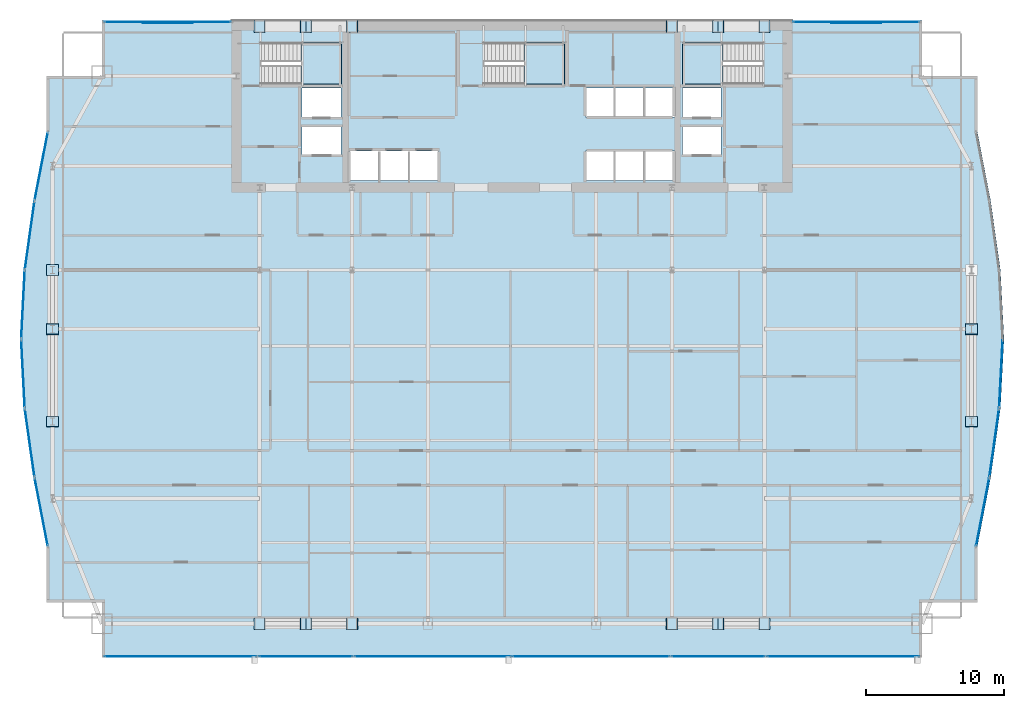
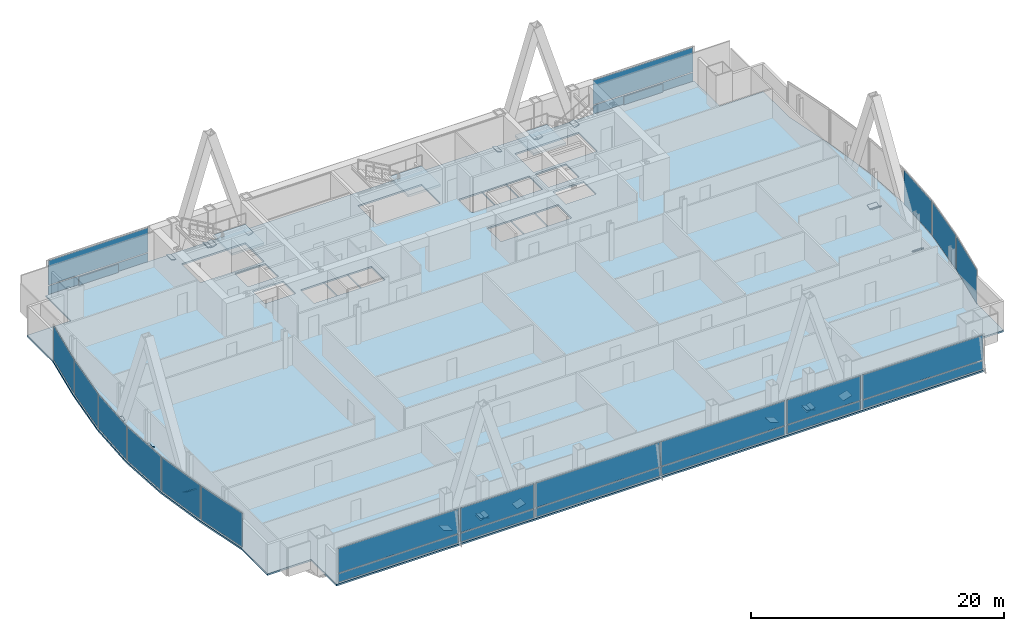
# One storey, part 25 of 33: 50 plates, 4 slabs, 19 elements without a shape of their own.
"""IFC4 building model written with IfcOpenShell, lengths in metres."""

from ifc_helpers import new_model, si_unit, direction, frame, origin, origin_2d, place, context, subcontext, project, spatial, polyline, rectangle, outline, extrude, material, layer, layer_set, type_object, element, aggregate, save


model = new_model("IFC4")

# Units and contexts
model_context = context("Model", 3, precision=1e-05, world=origin(), true_north=direction((0.0, 1.0)))
body_context = subcontext(model_context, "Body", "Model", "MODEL_VIEW")
ifc_project = project(units=[si_unit("LENGTHUNIT", "METRE"), si_unit("AREAUNIT", "SQUARE_METRE"), si_unit("VOLUMEUNIT", "CUBIC_METRE"), si_unit("PLANEANGLEUNIT", "RADIAN"), si_unit("MASSUNIT", "GRAM", prefix="KILO")], contexts=[model_context])

# Site, building, storey
site_placement = place(None, origin())
site = spatial("IfcSite", under=ifc_project, at=site_placement, CompositionType="ELEMENT")
building_placement = place(site_placement, origin())
building = spatial("IfcBuilding", under=site, at=building_placement, Name="Khoronbel Lancet Exchange", CompositionType="ELEMENT")
storey_placement = place(building_placement, frame((0.0, 0.0, 118.199951171875)))
storey = spatial("IfcBuildingStorey", under=building, at=storey_placement, Name="L28", CompositionType="ELEMENT", Elevation=118.199951171875)

# Curtain wall, plate
ifc_material_1 = material(Name="Low-E Solar Control Insulating Glass", Category="glass")
curtain_wall_type_1 = type_object("IfcCurtainWallType", Name="CW-4", PredefinedType="NOTDEFINED", material=ifc_material_1)
curtain_wall_1_placement = place(storey_placement, origin())
curtain_wall_1 = element("IfcCurtainWall", 1, at=curtain_wall_1_placement, inside=storey, type_object=curtain_wall_type_1, Name="Unitised curtain wall CW-L28-E05", PredefinedType="NOTDEFINED")
ifc_material_2 = material(Name="Bronze-Anodised Aluminium 6063-T6", Category="aluminium")
ifc_layer_1 = layer(ifc_material_2, 0.050048828125, Name="Bronze-Anodised Aluminium 6063-T6")
ifc_layer_set_1 = layer_set([ifc_layer_1], Name="Bronze-Anodised Aluminium 6063-T6")
plate_type_1 = type_object("IfcPlateType", Name="PLT-CSP1", PredefinedType="SHEET", material=ifc_layer_set_1)
plate_1_placement = place(storey_placement, frame((1.620849609375, 23.211669921875, 0.0849609375), z_axis=(0.0, 0.0, 1.0), x_axis=(-0.139924986756, 0.990162106971, 0.0)))
plate_1 = element("IfcPlate", 2, at=plate_1_placement, type_object=plate_type_1, Name="CW4 panel 1.1", PredefinedType="CURTAIN_PANEL", context=body_context, shape_type="SweptSolid", body=[
    extrude(rectangle(XDim=4.893310546875, YDim=0.0380859375, at=origin_2d()), origin(), (0.0, 0.0, 1.0), 3.27001953125),
])
aggregate(curtain_wall_1, [plate_1])

curtain_wall_2_placement = place(storey_placement, origin())
curtain_wall_2 = element("IfcCurtainWall", 3, at=curtain_wall_2_placement, inside=storey, type_object=curtain_wall_type_1, Name="Unitised curtain wall CW-L28-E06", PredefinedType="NOTDEFINED")
plate_2_placement = place(storey_placement, frame((1.138916015625, 28.204345703125, 0.0849609375), z_axis=(0.0, 0.0, 1.0), x_axis=(-0.051659901994, 0.998664735798, 0.0)))
plate_2 = element("IfcPlate", 4, at=plate_2_placement, type_object=plate_type_1, Name="CW4 panel 1.1", PredefinedType="CURTAIN_PANEL", context=body_context, shape_type="SweptSolid", body=[
    extrude(rectangle(XDim=4.84814453125, YDim=0.0380859375, at=origin_2d()), origin(), (0.0, 0.0, 1.0), 3.27001953125),
])
aggregate(curtain_wall_2, [plate_2])

curtain_wall_3_placement = place(storey_placement, origin())
curtain_wall_3 = element("IfcCurtainWall", 5, at=curtain_wall_3_placement, inside=storey, type_object=curtain_wall_type_1, Name="Unitised curtain wall CW-L28-E07", PredefinedType="NOTDEFINED")
plate_3_placement = place(storey_placement, frame((1.138916015625, 33.19580078125, 0.0849609375), z_axis=(0.0, 0.0, 1.0), x_axis=(0.051659901994, 0.998664735798, 0.0)))
plate_3 = element("IfcPlate", 6, at=plate_3_placement, type_object=plate_type_1, Name="CW4 panel 1.1", PredefinedType="CURTAIN_PANEL", context=body_context, shape_type="SweptSolid", body=[
    extrude(rectangle(XDim=4.84814453125, YDim=0.0380859375, at=origin_2d()), origin(), (0.0, 0.0, 1.0), 3.27001953125),
])
aggregate(curtain_wall_3, [plate_3])

curtain_wall_4_placement = place(storey_placement, origin())
curtain_wall_4 = element("IfcCurtainWall", 7, at=curtain_wall_4_placement, inside=storey, type_object=curtain_wall_type_1, Name="Unitised curtain wall CW-L28-E08", PredefinedType="NOTDEFINED")
plate_4_placement = place(storey_placement, frame((1.620849609375, 38.188232421875, 0.0849609375), z_axis=(0.0, 0.0, 1.0), x_axis=(0.139924986756, 0.990162106971, 0.0)))
plate_4 = element("IfcPlate", 8, at=plate_4_placement, type_object=plate_type_1, Name="CW4 panel 1.1", PredefinedType="CURTAIN_PANEL", context=body_context, shape_type="SweptSolid", body=[
    extrude(rectangle(XDim=4.893310546875, YDim=0.0380859375, at=origin_2d()), origin(), (0.0, 0.0, 1.0), 3.27001953125),
])
aggregate(curtain_wall_4, [plate_4])

curtain_wall_type_2 = type_object("IfcCurtainWallType", Name="CW-2", PredefinedType="NOTDEFINED", material=ifc_material_1)
curtain_wall_5_placement = place(storey_placement, origin())
curtain_wall_5 = element("IfcCurtainWall", 9, at=curtain_wall_5_placement, inside=storey, type_object=curtain_wall_type_2, Name="Unitised curtain wall CW-L28-NWFLK", PredefinedType="NOTDEFINED")
plate_5_placement = place(storey_placement, frame((11.580078125, 53.550048828125, 0.0498046875), z_axis=(0.0, 0.0, 1.0), x_axis=(-1.0, 0.0, 0.0)))
plate_5 = element("IfcPlate", 10, at=plate_5_placement, type_object=plate_type_1, Name="Insulated bronze spandrel cassette CW-L28-NWFLK", PredefinedType="SHEET", context=body_context, shape_type="SweptSolid", body=[
    extrude(rectangle(XDim=3.60009765625, YDim=0.050048828125, at=origin_2d()), origin(), (0.0, 0.0, 1.0), 0.800048828125),
])

curtain_wall_6_placement = place(storey_placement, origin())
curtain_wall_6 = element("IfcCurtainWall", 11, at=curtain_wall_6_placement, inside=storey, type_object=curtain_wall_type_2, Name="Unitised curtain wall CW-L28-NEFLK", PredefinedType="NOTDEFINED")
plate_6_placement = place(storey_placement, frame((61.320068359375, 53.550048828125, 0.0498046875), z_axis=(0.0, 0.0, 1.0), x_axis=(-1.0, 0.0, 0.0)))
plate_6 = element("IfcPlate", 12, at=plate_6_placement, type_object=plate_type_1, Name="Insulated bronze spandrel cassette CW-L28-NEFLK", PredefinedType="SHEET", context=body_context, shape_type="SweptSolid", body=[
    extrude(rectangle(XDim=3.60009765625, YDim=0.050048828125, at=origin_2d()), origin(), (0.0, 0.0, 1.0), 0.800048828125),
])

curtain_wall_7_placement = place(storey_placement, origin())
curtain_wall_7 = element("IfcCurtainWall", 13, at=curtain_wall_7_placement, inside=storey, type_object=curtain_wall_type_1, Name="Unitised curtain wall CW-L28-E20", PredefinedType="NOTDEFINED")
plate_7_placement = place(storey_placement, frame((71.76123046875, 28.204345703125, 0.0849609375), z_axis=(0.0, 0.0, 1.0), x_axis=(-0.051659901994, -0.998664735798, 0.0)))
plate_7 = element("IfcPlate", 14, at=plate_7_placement, type_object=plate_type_1, Name="CW4 panel 1.1", PredefinedType="CURTAIN_PANEL", context=body_context, shape_type="SweptSolid", body=[
    extrude(rectangle(XDim=4.84814453125, YDim=0.0380859375, at=origin_2d()), origin(), (0.0, 0.0, 1.0), 3.27001953125),
])
aggregate(curtain_wall_7, [plate_7])

curtain_wall_8_placement = place(storey_placement, origin())
curtain_wall_8 = element("IfcCurtainWall", 15, at=curtain_wall_8_placement, inside=storey, type_object=curtain_wall_type_1, Name="Unitised curtain wall CW-L28-E21", PredefinedType="NOTDEFINED")
plate_8_placement = place(storey_placement, frame((71.279296875, 23.211669921875, 0.0849609375), z_axis=(0.0, 0.0, 1.0), x_axis=(-0.139924986756, -0.990162106971, 0.0)))
plate_8 = element("IfcPlate", 16, at=plate_8_placement, type_object=plate_type_1, Name="CW4 panel 1.1", PredefinedType="CURTAIN_PANEL", context=body_context, shape_type="SweptSolid", body=[
    extrude(rectangle(XDim=4.893310546875, YDim=0.0380859375, at=origin_2d()), origin(), (0.0, 0.0, 1.0), 3.27001953125),
])
aggregate(curtain_wall_8, [plate_8])

# Curtain wall, plates
curtain_wall_9_placement = place(storey_placement, origin())
curtain_wall_9 = element("IfcCurtainWall", 17, at=curtain_wall_9_placement, inside=storey, type_object=curtain_wall_type_2, Name="Unitised curtain wall CW-L28-SWB", PredefinedType="NOTDEFINED")
plate_9_placement = place(storey_placement, frame((21.550048828125, 7.7900390625, 0.0849609375), z_axis=(0.0, 0.0, 1.0), x_axis=(1.0, 0.0, 0.0)))
plate_9 = element("IfcPlate", 18, at=plate_9_placement, type_object=plate_type_1, Name="CW2 panel 1.1", PredefinedType="CURTAIN_PANEL", context=body_context, shape_type="SweptSolid", body=[
    extrude(rectangle(XDim=6.72998046875, YDim=0.0380859375, at=origin_2d()), origin(), (0.0, 0.0, 1.0), 0.822509765625),
])
plate_10_placement = place(storey_placement, frame((21.550048828125, 7.7900390625, 0.99267578125), z_axis=(0.0, 0.0, 1.0), x_axis=(1.0, 0.0, 0.0)))
plate_10 = element("IfcPlate", 19, at=plate_10_placement, type_object=plate_type_1, Name="CW2 panel 1.2", PredefinedType="CURTAIN_PANEL", context=body_context, shape_type="SweptSolid", body=[
    extrude(rectangle(XDim=6.72998046875, YDim=0.0380859375, at=origin_2d()), origin(), (0.0, 0.0, 1.0), 2.362548828125),
])
aggregate(curtain_wall_9, [plate_9, plate_10])

curtain_wall_10_placement = place(storey_placement, origin())
curtain_wall_10 = element("IfcCurtainWall", 20, at=curtain_wall_10_placement, inside=storey, type_object=curtain_wall_type_2, Name="Unitised curtain wall CW-L28-SEB", PredefinedType="NOTDEFINED")
plate_11_placement = place(storey_placement, frame((51.35009765625, 7.7900390625, 0.0849609375), z_axis=(0.0, 0.0, 1.0), x_axis=(1.0, 0.0, 0.0)))
plate_11 = element("IfcPlate", 21, at=plate_11_placement, type_object=plate_type_1, Name="CW2 panel 1.1", PredefinedType="CURTAIN_PANEL", context=body_context, shape_type="SweptSolid", body=[
    extrude(rectangle(XDim=6.72998046875, YDim=0.0380859375, at=origin_2d()), origin(), (0.0, 0.0, 1.0), 0.822509765625),
])
plate_12_placement = place(storey_placement, frame((51.35009765625, 7.7900390625, 0.99267578125), z_axis=(0.0, 0.0, 1.0), x_axis=(1.0, 0.0, 0.0)))
plate_12 = element("IfcPlate", 22, at=plate_12_placement, type_object=plate_type_1, Name="CW2 panel 1.2", PredefinedType="CURTAIN_PANEL", context=body_context, shape_type="SweptSolid", body=[
    extrude(rectangle(XDim=6.72998046875, YDim=0.0380859375, at=origin_2d()), origin(), (0.0, 0.0, 1.0), 2.362548828125),
])
aggregate(curtain_wall_10, [plate_11, plate_12])

# Plate
ifc_layer_2 = layer(ifc_material_1, 0.035888671875, Name="Low-E Solar Control Insulating Glass")
ifc_layer_set_2 = layer_set([ifc_layer_2], Name="Low-E Solar Control Insulating Glass")
plate_type_2 = type_object("IfcPlateType", Name="PLT-CWP1", PredefinedType="CURTAIN_PANEL", material=ifc_layer_set_2)
plate_13_placement = place(storey_placement, frame((11.580078125, 53.610107421875, 0.0849609375), z_axis=(0.0, 0.0, 1.0), x_axis=(-1.0, 0.0, 0.0)))
plate_13 = element("IfcPlate", 23, at=plate_13_placement, type_object=plate_type_2, Name="CW2 panel 1.1", PredefinedType="CURTAIN_PANEL", context=body_context, shape_type="SweptSolid", body=[
    extrude(rectangle(XDim=9.110107421875, YDim=0.0380859375, at=origin_2d()), origin(), (0.0, 0.0, 1.0), 0.822509765625),
])

plate_14_placement = place(storey_placement, frame((11.580078125, 53.610107421875, 0.99267578125), z_axis=(0.0, 0.0, 1.0), x_axis=(-1.0, 0.0, 0.0)))
plate_14 = element("IfcPlate", 24, at=plate_14_placement, type_object=plate_type_2, Name="CW2 panel 1.2", PredefinedType="CURTAIN_PANEL", context=body_context, shape_type="SweptSolid", body=[
    extrude(rectangle(XDim=9.110107421875, YDim=0.0380859375, at=origin_2d()), origin(), (0.0, 0.0, 1.0), 2.362548828125),
])

aggregate(curtain_wall_5, [plate_13, plate_14, plate_5])

plate_15_placement = place(storey_placement, frame((61.320068359375, 53.610107421875, 0.0849609375), z_axis=(0.0, 0.0, 1.0), x_axis=(-1.0, 0.0, 0.0)))
plate_15 = element("IfcPlate", 25, at=plate_15_placement, type_object=plate_type_2, Name="CW2 panel 1.1", PredefinedType="CURTAIN_PANEL", context=body_context, shape_type="SweptSolid", body=[
    extrude(rectangle(XDim=9.110107421875, YDim=0.0380859375, at=origin_2d()), origin(), (0.0, 0.0, 1.0), 0.822509765625),
])

plate_16_placement = place(storey_placement, frame((61.320068359375, 53.610107421875, 0.99267578125), z_axis=(0.0, 0.0, 1.0), x_axis=(-1.0, 0.0, 0.0)))
plate_16 = element("IfcPlate", 26, at=plate_16_placement, type_object=plate_type_2, Name="CW2 panel 1.2", PredefinedType="CURTAIN_PANEL", context=body_context, shape_type="SweptSolid", body=[
    extrude(rectangle(XDim=9.110107421875, YDim=0.0380859375, at=origin_2d()), origin(), (0.0, 0.0, 1.0), 2.362548828125),
])

aggregate(curtain_wall_6, [plate_15, plate_16, plate_6])

# Curtain wall, plates
curtain_wall_11_placement = place(storey_placement, origin())
curtain_wall_11 = element("IfcCurtainWall", 27, at=curtain_wall_11_placement, inside=storey, type_object=curtain_wall_type_2, Name="Unitised curtain wall CW-L28-SWV", PredefinedType="NOTDEFINED")
plate_17_placement = place(storey_placement, frame((12.52001953125, 7.7900390625, 0.0849609375), z_axis=(0.0, 0.0, 1.0), x_axis=(1.0, 0.0, 0.0)))
plate_17 = element("IfcPlate", 28, at=plate_17_placement, type_object=plate_type_2, Name="CW2 panel 1.1", PredefinedType="CURTAIN_PANEL", context=body_context, shape_type="SweptSolid", body=[
    extrude(rectangle(XDim=10.989990234375, YDim=0.0380859375, at=origin_2d()), origin(), (0.0, 0.0, 1.0), 0.822509765625),
])
plate_18_placement = place(storey_placement, frame((12.52001953125, 7.7900390625, 0.99267578125), z_axis=(0.0, 0.0, 1.0), x_axis=(1.0, 0.0, 0.0)))
plate_18 = element("IfcPlate", 29, at=plate_18_placement, type_object=plate_type_2, Name="CW2 panel 1.2", PredefinedType="CURTAIN_PANEL", context=body_context, shape_type="SweptSolid", body=[
    extrude(rectangle(XDim=10.989990234375, YDim=0.0380859375, at=origin_2d()), origin(), (0.0, 0.0, 1.0), 2.362548828125),
])
aggregate(curtain_wall_11, [plate_17, plate_18])

curtain_wall_12_placement = place(storey_placement, origin())
curtain_wall_12 = element("IfcCurtainWall", 30, at=curtain_wall_12_placement, inside=storey, type_object=curtain_wall_type_2, Name="Unitised curtain wall CW-L28-SCV", PredefinedType="NOTDEFINED")
plate_19_placement = place(storey_placement, frame((30.746337890625, 7.7900390625, 0.0849609375), z_axis=(0.0, 0.0, 1.0), x_axis=(1.0, 0.0, 0.0)))
plate_19 = element("IfcPlate", 31, at=plate_19_placement, type_object=plate_type_2, Name="CW2 panel 1.1", PredefinedType="CURTAIN_PANEL", context=body_context, shape_type="SweptSolid", body=[
    extrude(rectangle(XDim=11.322509765625, YDim=0.0380859375, at=origin_2d()), origin(), (0.0, 0.0, 1.0), 0.822509765625),
])
plate_20_placement = place(storey_placement, frame((30.746337890625, 7.7900390625, 0.99267578125), z_axis=(0.0, 0.0, 1.0), x_axis=(1.0, 0.0, 0.0)))
plate_20 = element("IfcPlate", 32, at=plate_20_placement, type_object=plate_type_2, Name="CW2 panel 1.2", PredefinedType="CURTAIN_PANEL", context=body_context, shape_type="SweptSolid", body=[
    extrude(rectangle(XDim=11.322509765625, YDim=0.0380859375, at=origin_2d()), origin(), (0.0, 0.0, 1.0), 2.362548828125),
])
plate_21_placement = place(storey_placement, frame((42.15380859375, 7.7900390625, 0.0849609375), z_axis=(0.0, 0.0, 1.0), x_axis=(1.0, 0.0, 0.0)))
plate_21 = element("IfcPlate", 33, at=plate_21_placement, type_object=plate_type_2, Name="CW2 panel 2.1", PredefinedType="CURTAIN_PANEL", context=body_context, shape_type="SweptSolid", body=[
    extrude(rectangle(XDim=11.322509765625, YDim=0.0380859375, at=origin_2d()), origin(), (0.0, 0.0, 1.0), 0.822509765625),
])
plate_22_placement = place(storey_placement, frame((42.15380859375, 7.7900390625, 0.99267578125), z_axis=(0.0, 0.0, 1.0), x_axis=(1.0, 0.0, 0.0)))
plate_22 = element("IfcPlate", 34, at=plate_22_placement, type_object=plate_type_2, Name="CW2 panel 2.2", PredefinedType="CURTAIN_PANEL", context=body_context, shape_type="SweptSolid", body=[
    extrude(rectangle(XDim=11.322509765625, YDim=0.0380859375, at=origin_2d()), origin(), (0.0, 0.0, 1.0), 2.362548828125),
])
aggregate(curtain_wall_12, [plate_19, plate_20, plate_21, plate_22])

curtain_wall_13_placement = place(storey_placement, origin())
curtain_wall_13 = element("IfcCurtainWall", 35, at=curtain_wall_13_placement, inside=storey, type_object=curtain_wall_type_2, Name="Unitised curtain wall CW-L28-SEV", PredefinedType="NOTDEFINED")
plate_23_placement = place(storey_placement, frame((60.3798828125, 7.7900390625, 0.0849609375), z_axis=(0.0, 0.0, 1.0), x_axis=(1.0, 0.0, 0.0)))
plate_23 = element("IfcPlate", 36, at=plate_23_placement, type_object=plate_type_2, Name="CW2 panel 1.1", PredefinedType="CURTAIN_PANEL", context=body_context, shape_type="SweptSolid", body=[
    extrude(rectangle(XDim=10.989990234375, YDim=0.0380859375, at=origin_2d()), origin(), (0.0, 0.0, 1.0), 0.822509765625),
])
plate_24_placement = place(storey_placement, frame((60.3798828125, 7.7900390625, 0.99267578125), z_axis=(0.0, 0.0, 1.0), x_axis=(1.0, 0.0, 0.0)))
plate_24 = element("IfcPlate", 37, at=plate_24_placement, type_object=plate_type_2, Name="CW2 panel 1.2", PredefinedType="CURTAIN_PANEL", context=body_context, shape_type="SweptSolid", body=[
    extrude(rectangle(XDim=10.989990234375, YDim=0.0380859375, at=origin_2d()), origin(), (0.0, 0.0, 1.0), 2.362548828125),
])
aggregate(curtain_wall_13, [plate_23, plate_24])

# Curtain wall, plate
curtain_wall_14_placement = place(storey_placement, origin())
curtain_wall_14 = element("IfcCurtainWall", 38, at=curtain_wall_14_placement, inside=storey, type_object=curtain_wall_type_1, Name="Unitised curtain wall CW-L28-E04", PredefinedType="NOTDEFINED")
ifc_material_3 = material(Name="Ceramic-Fritted Laminated Insulating Glass", Category="glass")
ifc_layer_3 = layer(ifc_material_3, 0.0419921875, Name="Ceramic-Fritted Laminated Insulating Glass")
ifc_layer_set_3 = layer_set([ifc_layer_3], Name="Ceramic-Fritted Laminated Insulating Glass")
plate_type_3 = type_object("IfcPlateType", Name="PLT-CWP2", PredefinedType="CURTAIN_PANEL", material=ifc_layer_set_3)
plate_25_placement = place(storey_placement, frame((2.456787109375, 18.211669921875, 0.0849609375), z_axis=(0.0, 0.0, 1.0), x_axis=(-0.189541332498, 0.981872742913, 0.0)))
plate_25 = element("IfcPlate", 39, at=plate_25_placement, type_object=plate_type_3, Name="CW4 panel 1.1", PredefinedType="CURTAIN_PANEL", context=body_context, shape_type="SweptSolid", body=[
    extrude(rectangle(XDim=4.94873046875, YDim=0.0380859375, at=origin_2d()), origin(), (0.0, 0.0, 1.0), 3.27001953125),
])
aggregate(curtain_wall_14, [plate_25])

curtain_wall_15_placement = place(storey_placement, origin())
curtain_wall_15 = element("IfcCurtainWall", 40, at=curtain_wall_15_placement, inside=storey, type_object=curtain_wall_type_1, Name="Unitised curtain wall CW-L28-E09", PredefinedType="NOTDEFINED")
plate_26_placement = place(storey_placement, frame((2.456787109375, 43.188232421875, 0.0849609375), z_axis=(0.0, 0.0, 1.0), x_axis=(0.189541332498, 0.981872742913, 0.0)))
plate_26 = element("IfcPlate", 41, at=plate_26_placement, type_object=plate_type_3, Name="CW4 panel 1.1", PredefinedType="CURTAIN_PANEL", context=body_context, shape_type="SweptSolid", body=[
    extrude(rectangle(XDim=4.94873046875, YDim=0.0380859375, at=origin_2d()), origin(), (0.0, 0.0, 1.0), 3.27001953125),
])
aggregate(curtain_wall_15, [plate_26])

curtain_wall_16_placement = place(storey_placement, origin())
curtain_wall_16 = element("IfcCurtainWall", 42, at=curtain_wall_16_placement, inside=storey, type_object=curtain_wall_type_1, Name="Unitised curtain wall CW-L28-E22", PredefinedType="NOTDEFINED")
plate_27_placement = place(storey_placement, frame((70.443115234375, 18.211669921875, 0.0849609375), z_axis=(0.0, 0.0, 1.0), x_axis=(-0.189541332498, -0.981872742913, 0.0)))
plate_27 = element("IfcPlate", 43, at=plate_27_placement, type_object=plate_type_3, Name="CW4 panel 1.1", PredefinedType="CURTAIN_PANEL", context=body_context, shape_type="SweptSolid", body=[
    extrude(rectangle(XDim=4.94873046875, YDim=0.0380859375, at=origin_2d()), origin(), (0.0, 0.0, 1.0), 3.27001953125),
])
aggregate(curtain_wall_16, [plate_27])

# Plates
ifc_material_4 = material(Name="Steel S460", Category="steel")
ifc_layer_4 = layer(ifc_material_4, 0.044921875, Name="Steel S460")
ifc_layer_set_4 = layer_set([ifc_layer_4], Name="Steel S460")
plate_type_4 = type_object("IfcPlateType", Name="PLT-ECP1", PredefinedType="USERDEFINED", material=ifc_layer_set_4)
for number, where, z_axis, x_axis, name in (
    (44, (21.975341796875, 9.72998046875, -0.08447265625), (0.276639556616, 0.0, 0.960973753916), (0.0, 1.0, 0.0), "Hollow end cap plate PLT-CAP-MEM-MB-T08-S-W-L-1"),
    (45, (21.149658203125, 10.570068359375, -0.08447265625), (-0.276639556616, 0.0, 0.960973753916), (0.0, -1.0, 0.0), "Hollow end cap plate PLT-CAP-MEM-MB-T08-S-W-R-1"),
):
    element("IfcPlate", number, at=place(storey_placement, frame(where, z_axis=z_axis, x_axis=x_axis)), inside=storey, type_object=plate_type_4, Name=name, ObjectType="STIFFENER_PLATE", PredefinedType="USERDEFINED", context=body_context, shape_type="SweptSolid", body=[
        extrude(outline(polyline([(0.0, 0.0), (0.840087890625, 0.0), (0.840087890625, 0.840087890625), (0.0, 0.840087890625), (0.0, 0.0)])), origin(), (0.0, 0.0, -1.0), 0.044921875),
    ])
for number, where, z_axis, x_axis, name in (
    (46, (51.750244140625, 9.72998046875, -0.08447265625), (0.276716828126, 0.0, 0.960951506077), (0.0, 1.0, 0.0), "Hollow end cap plate PLT-CAP-MEM-MB-T08-S-E-L-1"),
    (47, (50.9248046875, 10.570068359375, -0.08447265625), (-0.276716828126, 0.0, 0.960951506077), (0.0, -1.0, 0.0), "Hollow end cap plate PLT-CAP-MEM-MB-T08-S-E-R-1"),
):
    element("IfcPlate", number, at=place(storey_placement, frame(where, z_axis=z_axis, x_axis=x_axis)), inside=storey, type_object=plate_type_4, Name=name, ObjectType="STIFFENER_PLATE", PredefinedType="USERDEFINED", context=body_context, shape_type="SweptSolid", body=[
        extrude(outline(polyline([(0.0, 0.0), (0.840087890625, 0.0), (0.840087890625, 0.83984375), (0.0, 0.83984375), (0.0, 0.0)])), origin(), (0.0, 0.0, -1.0), 0.044921875),
    ])
for number, where, z_axis, x_axis, name in (
    (48, (21.975341796875, 52.860107421875, -0.08447265625), (0.276639556616, 0.0, 0.960973753916), (0.0, 1.0, 0.0), "Hollow end cap plate PLT-CAP-MEM-MB-T08-N-W-L-1"),
    (49, (21.149658203125, 53.699951171875, -0.08447265625), (-0.276639556616, 0.0, 0.960973753916), (0.0, -1.0, 0.0), "Hollow end cap plate PLT-CAP-MEM-MB-T08-N-W-R-1"),
):
    element("IfcPlate", number, at=place(storey_placement, frame(where, z_axis=z_axis, x_axis=x_axis)), inside=storey, type_object=plate_type_4, Name=name, ObjectType="STIFFENER_PLATE", PredefinedType="USERDEFINED", context=body_context, shape_type="SweptSolid", body=[
        extrude(outline(polyline([(0.0, 0.0), (0.83984375, 0.0), (0.83984375, 0.840087890625), (0.0, 0.840087890625), (0.0, 0.0)])), origin(), (0.0, 0.0, -1.0), 0.044921875),
    ])
for number, where, z_axis, x_axis, name in (
    (50, (51.750244140625, 52.860107421875, -0.08447265625), (0.276716828126, 0.0, 0.960951506077), (0.0, 1.0, 0.0), "Hollow end cap plate PLT-CAP-MEM-MB-T08-N-E-L-1"),
    (51, (50.9248046875, 53.699951171875, -0.08447265625), (-0.276716828126, 0.0, 0.960951506077), (0.0, -1.0, 0.0), "Hollow end cap plate PLT-CAP-MEM-MB-T08-N-E-R-1"),
    (52, (3.68994140625, 31.805419921875, -0.180908203125), (0.0, 0.498765983781, 0.866736692095), (-1.0, 0.0, 0.0), "Hollow end cap plate PLT-CAP-MEM-MB-T08-W-P-L-1"),
    (53, (2.85009765625, 31.01953125, -0.1142578125), (0.0, -0.345893931034, 0.938273621325), (1.0, 0.0, 0.0), "Hollow end cap plate PLT-CAP-MEM-MB-T08-W-P-R-1"),
):
    element("IfcPlate", number, at=place(storey_placement, frame(where, z_axis=z_axis, x_axis=x_axis)), inside=storey, type_object=plate_type_4, Name=name, ObjectType="STIFFENER_PLATE", PredefinedType="USERDEFINED", context=body_context, shape_type="SweptSolid", body=[
        extrude(outline(polyline([(0.0, 0.0), (0.83984375, 0.0), (0.83984375, 0.83984375), (0.0, 0.83984375), (0.0, 0.0)])), origin(), (0.0, 0.0, -1.0), 0.044921875),
    ])
for number, where, z_axis, x_axis, name in (
    (54, (70.050048828125, 31.805419921875, -0.180908203125), (0.0, 0.498765983781, 0.866736692095), (-1.0, 0.0, 0.0), "Hollow end cap plate PLT-CAP-MEM-MB-T08-E-P-L-1"),
    (55, (69.2099609375, 31.01953125, -0.1142578125), (0.0, -0.345893931034, 0.938273621325), (1.0, 0.0, 0.0), "Hollow end cap plate PLT-CAP-MEM-MB-T08-E-P-R-1"),
):
    element("IfcPlate", number, at=place(storey_placement, frame(where, z_axis=z_axis, x_axis=x_axis)), inside=storey, type_object=plate_type_4, Name=name, ObjectType="STIFFENER_PLATE", PredefinedType="USERDEFINED", context=body_context, shape_type="SweptSolid", body=[
        extrude(outline(polyline([(0.0, 0.0), (0.840087890625, 0.0), (0.840087890625, 0.83984375), (0.0, 0.83984375), (0.0, 0.0)])), origin(), (0.0, 0.0, -1.0), 0.044921875),
    ])
for number, where, z_axis, x_axis, name in (
    (56, (18.6298828125, 9.72998046875, -0.112548828125), (0.295229109279, 0.0, 0.955426487509), (0.0, 1.0, 0.0), "Hollow end cap plate PLT-CAP-MEM-MB-T09-S-W-L-0"),
    (57, (24.4951171875, 10.570068359375, -0.112548828125), (-0.295229109279, 0.0, 0.955426487509), (0.0, -1.0, 0.0), "Hollow end cap plate PLT-CAP-MEM-MB-T09-S-W-R-0"),
):
    element("IfcPlate", number, at=place(storey_placement, frame(where, z_axis=z_axis, x_axis=x_axis)), inside=storey, type_object=plate_type_4, Name=name, ObjectType="STIFFENER_PLATE", PredefinedType="USERDEFINED", context=body_context, shape_type="SweptSolid", body=[
        extrude(outline(polyline([(0.0, 0.0), (0.840087890625, 0.0), (0.840087890625, 0.840087890625), (0.0, 0.840087890625), (0.0, 0.0)])), origin(), (0.0, 0.0, -1.0), 0.044921875),
    ])
for number, where, z_axis, x_axis, name in (
    (58, (48.40478515625, 9.72998046875, -0.112548828125), (0.295311094723, 0.0, 0.955401149954), (0.0, 1.0, 0.0), "Hollow end cap plate PLT-CAP-MEM-MB-T09-S-E-L-0"),
    (59, (54.270263671875, 10.570068359375, -0.112548828125), (-0.295311094723, 0.0, 0.955401149954), (0.0, -1.0, 0.0), "Hollow end cap plate PLT-CAP-MEM-MB-T09-S-E-R-0"),
):
    element("IfcPlate", number, at=place(storey_placement, frame(where, z_axis=z_axis, x_axis=x_axis)), inside=storey, type_object=plate_type_4, Name=name, ObjectType="STIFFENER_PLATE", PredefinedType="USERDEFINED", context=body_context, shape_type="SweptSolid", body=[
        extrude(outline(polyline([(0.0, 0.0), (0.840087890625, 0.0), (0.840087890625, 0.83984375), (0.0, 0.83984375), (0.0, 0.0)])), origin(), (0.0, 0.0, -1.0), 0.044921875),
    ])
for number, where, z_axis, x_axis, name in (
    (60, (18.6298828125, 52.860107421875, -0.112548828125), (0.295229109279, 0.0, 0.955426487509), (0.0, 1.0, 0.0), "Hollow end cap plate PLT-CAP-MEM-MB-T09-N-W-L-0"),
    (61, (24.4951171875, 53.699951171875, -0.112548828125), (-0.295229109279, 0.0, 0.955426487509), (0.0, -1.0, 0.0), "Hollow end cap plate PLT-CAP-MEM-MB-T09-N-W-R-0"),
):
    element("IfcPlate", number, at=place(storey_placement, frame(where, z_axis=z_axis, x_axis=x_axis)), inside=storey, type_object=plate_type_4, Name=name, ObjectType="STIFFENER_PLATE", PredefinedType="USERDEFINED", context=body_context, shape_type="SweptSolid", body=[
        extrude(outline(polyline([(0.0, 0.0), (0.83984375, 0.0), (0.83984375, 0.840087890625), (0.0, 0.840087890625), (0.0, 0.0)])), origin(), (0.0, 0.0, -1.0), 0.044921875),
    ])
for number, where, z_axis, x_axis, name in (
    (62, (48.40478515625, 52.860107421875, -0.112548828125), (0.295311094723, 0.0, 0.955401149954), (0.0, 1.0, 0.0), "Hollow end cap plate PLT-CAP-MEM-MB-T09-N-E-L-0"),
    (63, (54.270263671875, 53.699951171875, -0.112548828125), (-0.295311094723, 0.0, 0.955401149954), (0.0, -1.0, 0.0), "Hollow end cap plate PLT-CAP-MEM-MB-T09-N-E-R-0"),
    (64, (3.68994140625, 25.113525390625, -0.21044921875), (0.0, 0.525523821634, 0.850778886019), (-1.0, 0.0, 0.0), "Hollow end cap plate PLT-CAP-MEM-MB-T09-W-P-L-0"),
    (65, (2.85009765625, 35.30517578125, -0.143310546875), (0.0, -0.367980392152, 0.929833550154), (1.0, 0.0, 0.0), "Hollow end cap plate PLT-CAP-MEM-MB-T09-W-P-R-0"),
):
    element("IfcPlate", number, at=place(storey_placement, frame(where, z_axis=z_axis, x_axis=x_axis)), inside=storey, type_object=plate_type_4, Name=name, ObjectType="STIFFENER_PLATE", PredefinedType="USERDEFINED", context=body_context, shape_type="SweptSolid", body=[
        extrude(outline(polyline([(0.0, 0.0), (0.83984375, 0.0), (0.83984375, 0.83984375), (0.0, 0.83984375), (0.0, 0.0)])), origin(), (0.0, 0.0, -1.0), 0.044921875),
    ])
plate_28_placement = place(storey_placement, frame((70.050048828125, 25.113525390625, -0.21044921875), z_axis=(0.0, 0.525523821634, 0.850778886019), x_axis=(-1.0, 0.0, 0.0)))
element("IfcPlate", 66, at=plate_28_placement, inside=storey, type_object=plate_type_4, Name="Hollow end cap plate PLT-CAP-MEM-MB-T09-E-P-L-0", ObjectType="STIFFENER_PLATE", PredefinedType="USERDEFINED", context=body_context, shape_type="SweptSolid", body=[
    extrude(outline(polyline([(0.0, 0.0), (0.840087890625, 0.0), (0.840087890625, 0.83984375), (0.0, 0.83984375), (0.0, 0.0)])), origin(), (0.0, 0.0, -1.0), 0.044921875),
])

# Slab
ifc_material_5 = material(Name="Concrete C40/50", Category="concrete")
ifc_layer_5 = layer(ifc_material_5, 0.159912109375, Name="Concrete C40/50")
ifc_layer_set_5 = layer_set([ifc_layer_5], Name="Concrete C40/50")
slab_type_1 = type_object("IfcSlabType", Name="SL-FL160", PredefinedType="FLOOR", material=ifc_layer_set_5)
slab_1_placement = place(storey_placement, frame((0.0, 0.0, -0.159912109375)))
element("IfcSlab", 67, at=slab_1_placement, inside=storey, type_object=slab_type_1, Name="Level L28 composite structural floor slab", PredefinedType="FLOOR", context=body_context, shape_type="SweptSolid", body=[
    extrude(outline(polyline([(6.85009765625, 7.699951171875), (66.050048828125, 7.699951171875), (66.050048828125, 11.699951171875), (70.050048828125, 11.699951171875), (70.050048828125, 15.699951171875), (71.01513671875, 20.699951171875), (71.7216796875, 25.699951171875), (71.98046875, 30.699951171875), (71.7216796875, 35.699951171875), (71.01513671875, 40.699951171875), (70.050048828125, 45.699951171875), (70.050048828125, 49.699951171875), (66.050048828125, 49.699951171875), (66.050048828125, 53.699951171875), (6.85009765625, 53.699951171875), (6.85009765625, 49.699951171875), (2.85009765625, 49.699951171875), (2.85009765625, 45.699951171875), (1.884765625, 40.699951171875), (1.17822265625, 35.699951171875), (0.919677734375, 30.699951171875), (1.17822265625, 25.699951171875), (1.884765625, 20.699951171875), (2.85009765625, 15.699951171875), (2.85009765625, 11.699951171875), (6.85009765625, 11.699951171875), (6.85009765625, 7.699951171875)]), holes=[polyline([(18.324951171875, 49.1201171875), (24.14990234375, 49.1201171875), (24.14990234375, 52.10009765625), (18.324951171875, 52.10009765625), (18.324951171875, 49.1201171875)]), polyline([(48.75, 49.1201171875), (54.574951171875, 49.1201171875), (54.574951171875, 52.10009765625), (48.75, 52.10009765625), (48.75, 49.1201171875)]), polyline([(34.425048828125, 49.1201171875), (40.25, 49.1201171875), (40.25, 52.10009765625), (34.425048828125, 52.10009765625), (34.425048828125, 49.1201171875)]), polyline([(24.699951171875, 42.14990234375), (26.840087890625, 42.14990234375), (26.840087890625, 44.300048828125), (24.699951171875, 44.300048828125), (24.699951171875, 42.14990234375)]), polyline([(26.860107421875, 42.14990234375), (29.0, 42.14990234375), (29.0, 44.300048828125), (26.860107421875, 44.300048828125), (26.860107421875, 42.14990234375)]), polyline([(29.02001953125, 42.14990234375), (31.159912109375, 42.14990234375), (31.159912109375, 44.300048828125), (29.02001953125, 44.300048828125), (29.02001953125, 42.14990234375)]), polyline([(41.739990234375, 46.75), (43.8798828125, 46.75), (43.8798828125, 48.85009765625), (41.739990234375, 48.85009765625), (41.739990234375, 46.75)]), polyline([(43.89990234375, 46.75), (46.0400390625, 46.75), (46.0400390625, 48.85009765625), (43.89990234375, 48.85009765625), (43.89990234375, 46.75)]), polyline([(46.06005859375, 46.75), (48.199951171875, 46.75), (48.199951171875, 48.85009765625), (46.06005859375, 48.85009765625), (46.06005859375, 46.75)]), polyline([(41.739990234375, 42.14990234375), (43.8798828125, 42.14990234375), (43.8798828125, 44.300048828125), (41.739990234375, 44.300048828125), (41.739990234375, 42.14990234375)]), polyline([(43.89990234375, 42.14990234375), (46.0400390625, 42.14990234375), (46.0400390625, 44.300048828125), (43.89990234375, 44.300048828125), (43.89990234375, 42.14990234375)]), polyline([(46.06005859375, 42.14990234375), (48.199951171875, 42.14990234375), (48.199951171875, 44.300048828125), (46.06005859375, 44.300048828125), (46.06005859375, 42.14990234375)]), polyline([(21.300048828125, 46.75), (24.10009765625, 46.75), (24.10009765625, 48.85009765625), (21.300048828125, 48.85009765625), (21.300048828125, 46.75)]), polyline([(48.75, 46.75), (51.550048828125, 46.75), (51.550048828125, 48.85009765625), (48.75, 48.85009765625), (48.75, 46.75)]), polyline([(21.300048828125, 44.050048828125), (24.10009765625, 44.050048828125), (24.10009765625, 46.050048828125), (21.300048828125, 46.050048828125), (21.300048828125, 44.050048828125)]), polyline([(48.75, 44.050048828125), (51.550048828125, 44.050048828125), (51.550048828125, 46.050048828125), (48.75, 46.050048828125), (48.75, 44.050048828125)])]), origin(), (0.0, 0.0, 1.0), 0.159912109375),
])

# Stair, slab
stair_type = type_object("IfcStairType", Name="STR-CORE150", PredefinedType="HALF_TURN_STAIR", material=ifc_material_5)
stair_1_placement = place(storey_placement, origin())
stair_1 = element("IfcStair", 68, at=stair_1_placement, inside=storey, type_object=stair_type, Name="L28 Protected Exit Stair ST1", PredefinedType="HALF_TURN_STAIR")
ifc_layer_6 = layer(ifc_material_5, 0.199951171875, Name="Concrete C40/50")
ifc_layer_set_6 = layer_set([ifc_layer_6], Name="Concrete C40/50")
slab_type_2 = type_object("IfcSlabType", Name="SL-LND180", PredefinedType="LANDING", material=ifc_layer_set_6)
slab_2_placement = place(storey_placement, frame((0.0, 0.0, 1.60009765625)))
slab_2 = element("IfcSlab", 69, at=slab_2_placement, type_object=slab_type_2, Name="ST1 landing 1", PredefinedType="LANDING", context=body_context, shape_type="SweptSolid", body=[
    extrude(outline(polyline([(21.199951171875, 49.1201171875), (24.14990234375, 49.1201171875), (24.14990234375, 52.10009765625), (21.199951171875, 52.10009765625), (21.199951171875, 49.1201171875)])), origin(), (0.0, 0.0, 1.0), 0.199951171875),
])
aggregate(stair_1, [slab_2])

stair_2_placement = place(storey_placement, origin())
stair_2 = element("IfcStair", 70, at=stair_2_placement, inside=storey, type_object=stair_type, Name="L28 Protected Exit Stair ST2", PredefinedType="HALF_TURN_STAIR")
slab_3_placement = place(storey_placement, frame((0.0, 0.0, 1.60009765625)))
slab_3 = element("IfcSlab", 71, at=slab_3_placement, type_object=slab_type_2, Name="ST2 landing 1", PredefinedType="LANDING", context=body_context, shape_type="SweptSolid", body=[
    extrude(outline(polyline([(51.699951171875, 52.10009765625), (48.75, 52.10009765625), (48.75, 49.1201171875), (51.699951171875, 49.1201171875), (51.699951171875, 52.10009765625)])), origin(), (0.0, 0.0, 1.0), 0.199951171875),
])
aggregate(stair_2, [slab_3])

stair_3_placement = place(storey_placement, origin())
stair_3 = element("IfcStair", 72, at=stair_3_placement, inside=storey, type_object=stair_type, Name="L28 Protected Exit Stair ST3", PredefinedType="HALF_TURN_STAIR")
slab_4_placement = place(storey_placement, frame((0.0, 0.0, 1.60009765625)))
slab_4 = element("IfcSlab", 73, at=slab_4_placement, type_object=slab_type_2, Name="ST3 landing 1", PredefinedType="LANDING", context=body_context, shape_type="SweptSolid", body=[
    extrude(outline(polyline([(37.300048828125, 49.1201171875), (40.25, 49.1201171875), (40.25, 52.10009765625), (37.300048828125, 52.10009765625), (37.300048828125, 49.1201171875)])), origin(), (0.0, 0.0, 1.0), 0.199951171875),
])
aggregate(stair_3, [slab_4])

save(model, "model.ifc")
